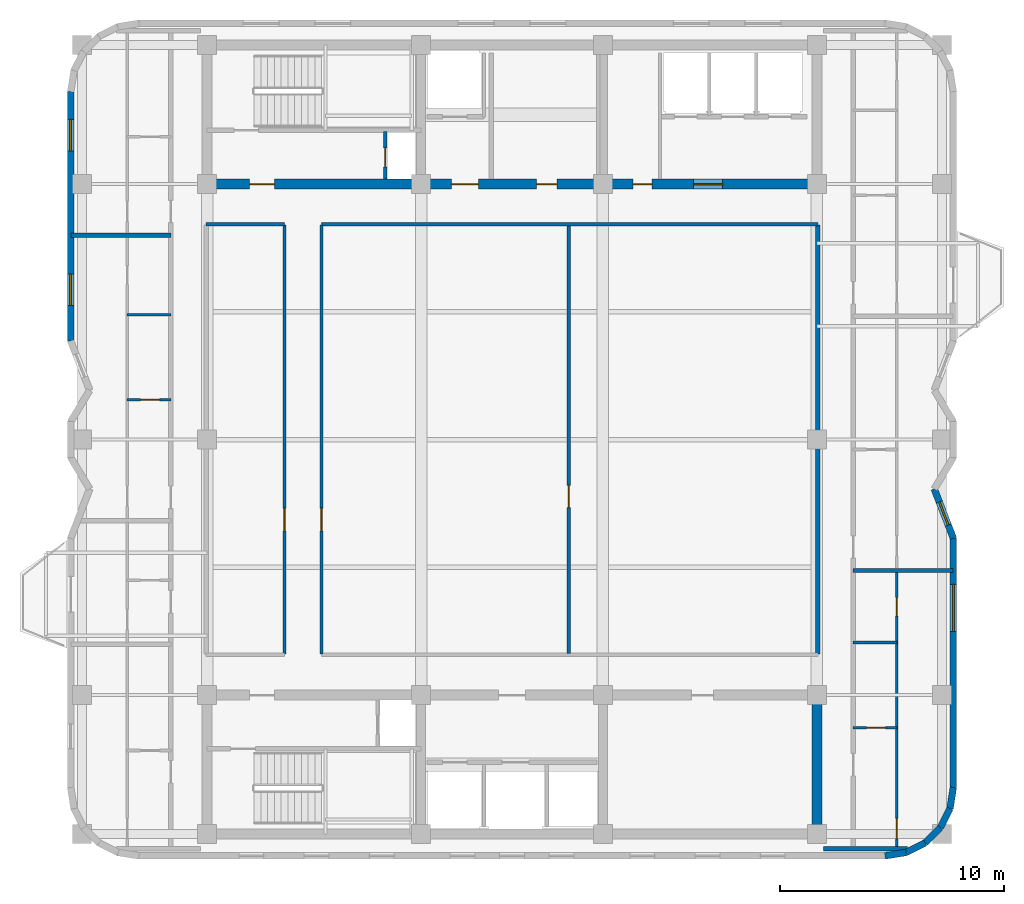
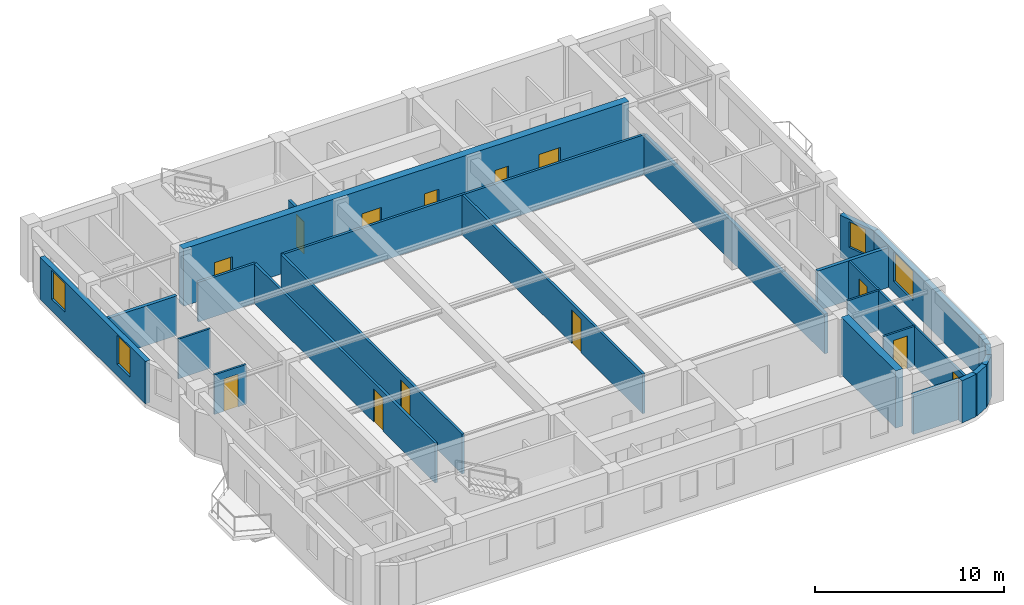
# One storey, part 4 of 8: 25 walls, 13 doors, 4 windows, 17 openings.
"""IFC4 building model written with IfcOpenShell, lengths in metres."""

from ifc_helpers import new_model, si_unit, direction, frame, frame_2d, origin, place, context, subcontext, project, spatial, rectangle, extrude, material, layer, layer_set, type_object, element, fill, save


model = new_model("IFC4")

# Units and contexts
model_context = context("Model", 3, precision=1e-05, world=origin(), true_north=direction((0.0, 1.0)))
body_context = subcontext(model_context, "Body", "Model", "MODEL_VIEW")
ifc_project = project(units=[si_unit("LENGTHUNIT", "METRE"), si_unit("AREAUNIT", "SQUARE_METRE"), si_unit("VOLUMEUNIT", "CUBIC_METRE"), si_unit("PLANEANGLEUNIT", "RADIAN"), si_unit("MASSUNIT", "GRAM", prefix="KILO")], contexts=[model_context])

# Site, building, storey
site_placement = place(None, origin())
site = spatial("IfcSite", under=ifc_project, at=site_placement, CompositionType="ELEMENT")
building_placement = place(site_placement, origin())
building = spatial("IfcBuilding", under=site, at=building_placement, Name="Svetorya Sky Lyceum", CompositionType="ELEMENT")
storey_placement = place(building_placement, frame((0.0, 0.0, 233.199951171875)))
storey = spatial("IfcBuildingStorey", under=building, at=storey_placement, Name="L58", CompositionType="ELEMENT", Elevation=233.199951171875)

# Wall
ifc_material_1 = material(Name="Concrete C50/60", Category="concrete")
ifc_layer_1 = layer(ifc_material_1, 0.449951171875)
ifc_layer_set_1 = layer_set([ifc_layer_1], Name="Concrete C50/60")
wall_type_1 = type_object("IfcWallType", Name="WL-CORE-450", PredefinedType="SHEAR", material=ifc_layer_set_1)
wall_1_placement = place(storey_placement, frame((52.800048828125, 10.824951171875, 0.0), z_axis=(0.0, 0.0, 1.0), x_axis=(0.0, 1.0, 0.0)))
element("IfcWall", 1, at=wall_1_placement, inside=storey, type_object=wall_type_1, Name="L58 SC East Core Shear Wall", PredefinedType="SHEAR", context=body_context, shape_type="SweptSolid", body=[
    extrude(rectangle(XDim=5.75, YDim=0.449951171875, at=frame_2d((2.875, 0.0))), origin(), (0.0, 0.0, 1.0), 3.699951171875),
])

# Wall, openings, doors
wall_2_placement = place(storey_placement, frame((52.800048828125, 39.60009765625, 0.0), z_axis=(0.0, 0.0, 1.0), x_axis=(-1.0, 0.0, 0.0)))
wall_2 = element("IfcWall", 2, at=wall_2_placement, inside=storey, type_object=wall_type_1, Name="L58 NC Inner Core Shear Wall", PredefinedType="SHEAR", context=body_context, shape_type="SweptSolid", body=[
    extrude(rectangle(XDim=27.199951171875, YDim=0.449951171875, at=frame_2d((13.60009765625, 0.0))), origin(), (0.0, 0.0, 1.0), 3.699951171875),
])
opening_1_placement = place(wall_2_placement, frame((24.199951171875, 0.0, 0.0)))
opening_1 = element("IfcOpeningElement", 3, at=opening_1_placement, cuts=wall_2, Name="Opening D-ST1", PredefinedType="OPENING", context=body_context, shape_type="SweptSolid", body=[
    extrude(rectangle(XDim=1.10009765625, YDim=2.14990234375, at=frame_2d((0.550048828125, 1.074951171875))), frame((0.0, 0.23486328125, 0.0), z_axis=(0.0, -1.0, 0.0), x_axis=(1.0, 0.0, 0.0)), (0.0, 0.0, 1.0), 0.469970703125),
])
opening_2_placement = place(wall_2_placement, frame((15.10009765625, 0.0, 0.0)))
opening_2 = element("IfcOpeningElement", 4, at=opening_2_placement, cuts=wall_2, Name="Opening D-FL1", PredefinedType="OPENING", context=body_context, shape_type="SweptSolid", body=[
    extrude(rectangle(XDim=1.199951171875, YDim=2.14990234375, at=frame_2d((0.60009765625, 1.074951171875))), frame((0.0, 0.23486328125, 0.0), z_axis=(0.0, -1.0, 0.0), x_axis=(1.0, 0.0, 0.0)), (0.0, 0.0, 1.0), 0.469970703125),
])
opening_3_placement = place(wall_2_placement, frame((11.60009765625, 0.0, 0.0)))
opening_3 = element("IfcOpeningElement", 5, at=opening_3_placement, cuts=wall_2, Name="Opening D-RM1", PredefinedType="OPENING", context=body_context, shape_type="SweptSolid", body=[
    extrude(rectangle(XDim=0.89990234375, YDim=2.10009765625, at=frame_2d((0.449951171875, 1.050048828125))), frame((0.0, 0.23486328125, 0.0), z_axis=(0.0, -1.0, 0.0), x_axis=(1.0, 0.0, 0.0)), (0.0, 0.0, 1.0), 0.469970703125),
])
opening_4_placement = place(wall_2_placement, frame((7.35009765625, 0.0, 0.0)))
opening_4 = element("IfcOpeningElement", 6, at=opening_4_placement, cuts=wall_2, Name="Opening D-CWC1", PredefinedType="OPENING", context=body_context, shape_type="SweptSolid", body=[
    extrude(rectangle(XDim=0.85009765625, YDim=2.10009765625, at=frame_2d((0.425048828125, 1.050048828125))), frame((0.0, 0.23486328125, 0.0), z_axis=(0.0, -1.0, 0.0), x_axis=(1.0, 0.0, 0.0)), (0.0, 0.0, 1.0), 0.469970703125),
])
opening_5_placement = place(wall_2_placement, frame((4.199951171875, 0.0, 0.0)))
opening_5 = element("IfcOpeningElement", 7, at=opening_5_placement, cuts=wall_2, Name="Opening D-LB1", PredefinedType="OPENING", context=body_context, shape_type="SweptSolid", body=[
    extrude(rectangle(XDim=1.300048828125, YDim=2.199951171875, at=frame_2d((0.64990234375, 1.10009765625))), frame((0.0, 0.23486328125, 0.0), z_axis=(0.0, -1.0, 0.0), x_axis=(1.0, 0.0, 0.0)), (0.0, 0.0, 1.0), 0.469970703125),
])
ifc_material_2 = material(Name="Fire-rated galvanized steel core service closet door", Category="steel")
door_type_1 = type_object("IfcDoorType", Name="DR-CWET-850", OperationType="SINGLE_SWING_LEFT", PredefinedType="DOOR", material=ifc_material_2)
door_1_placement = place(opening_4_placement, origin())
door_1 = element("IfcDoor", 8, at=door_1_placement, inside=storey, type_object=door_type_1, Name="L58 High-Zone Utility Room Door", OperationType="SINGLE_SWING_LEFT", OverallHeight=2.10009765625, OverallWidth=0.85009765625, PredefinedType="DOOR", context=body_context, shape_type="SweptSolid", body=[
    extrude(rectangle(XDim=0.85009765625, YDim=2.10009765625, at=frame_2d((0.425048828125, 1.050048828125))), frame((0.0, 0.02490234375, 0.0), z_axis=(0.0, -1.0, 0.0), x_axis=(1.0, 0.0, 0.0)), (0.0, 0.0, 1.0), 0.050048828125),
])
fill(opening_4, door_1)
ifc_material_3 = material(Name="Powder-coated insulated galvanized stair fire door")
door_type_2 = type_object("IfcDoorType", Name="DR-FIRE-1100", OperationType="SINGLE_SWING_LEFT", PredefinedType="DOOR", material=ifc_material_3)
door_2_placement = place(opening_1_placement, origin())
door_2 = element("IfcDoor", 9, at=door_2_placement, inside=storey, type_object=door_type_2, Name="L58 North Stair Airlock Door", OperationType="SINGLE_SWING_LEFT", OverallHeight=2.14990234375, OverallWidth=1.10009765625, PredefinedType="DOOR", context=body_context, shape_type="SweptSolid", body=[
    extrude(rectangle(XDim=1.10009765625, YDim=2.14990234375, at=frame_2d((0.550048828125, 1.074951171875))), frame((0.0, 0.02490234375, 0.0), z_axis=(0.0, -1.0, 0.0), x_axis=(1.0, 0.0, 0.0)), (0.0, 0.0, 1.0), 0.050048828125),
])
fill(opening_1, door_2)
ifc_material_4 = material(Name="Powder-coated insulated galvanized fire door")
door_type_3 = type_object("IfcDoorType", Name="DR-FIRE-1200", OperationType="SINGLE_SWING_LEFT", PredefinedType="DOOR", material=ifc_material_4)
door_3_placement = place(opening_2_placement, origin())
door_3 = element("IfcDoor", 10, at=door_3_placement, inside=storey, type_object=door_type_3, Name="L58 North Firefighting Lift Lobby Door", OperationType="SINGLE_SWING_RIGHT", OverallHeight=2.14990234375, OverallWidth=1.199951171875, PredefinedType="DOOR", context=body_context, shape_type="SweptSolid", body=[
    extrude(rectangle(XDim=1.199951171875, YDim=2.14990234375, at=frame_2d((0.60009765625, 1.074951171875))), frame((0.0, 0.02490234375, 0.0), z_axis=(0.0, -1.0, 0.0), x_axis=(1.0, 0.0, 0.0)), (0.0, 0.0, 1.0), 0.050048828125),
])
fill(opening_2, door_3)
ifc_material_5 = material(Name="Lacquered birch veneer internal door")
door_type_4 = type_object("IfcDoorType", Name="DR-INT-900", OperationType="SINGLE_SWING_LEFT", PredefinedType="DOOR", material=ifc_material_5)
door_4_placement = place(opening_3_placement, origin())
door_4 = element("IfcDoor", 11, at=door_4_placement, inside=storey, type_object=door_type_4, Name="L58 Upper Archive Door", OperationType="SINGLE_SWING_LEFT", OverallHeight=2.10009765625, OverallWidth=0.89990234375, PredefinedType="DOOR", context=body_context, shape_type="SweptSolid", body=[
    extrude(rectangle(XDim=0.89990234375, YDim=2.10009765625, at=frame_2d((0.449951171875, 1.050048828125))), frame((0.0, 0.02490234375, 0.0), z_axis=(0.0, -1.0, 0.0), x_axis=(1.0, 0.0, 0.0)), (0.0, 0.0, 1.0), 0.050048828125),
])
fill(opening_3, door_4)
ifc_material_6 = material(Name="Glazed fire-rated aluminium lobby door", Category="aluminium")
door_type_5 = type_object("IfcDoorType", Name="DR-LOB-1300", OperationType="SINGLE_SWING_LEFT", PredefinedType="DOOR", material=ifc_material_6)
door_5_placement = place(opening_5_placement, origin())
door_5 = element("IfcDoor", 12, at=door_5_placement, inside=storey, type_object=door_type_5, Name="L58 North Passenger Lift Lobby Door", OperationType="SINGLE_SWING_LEFT", OverallHeight=2.199951171875, OverallWidth=1.300048828125, PredefinedType="DOOR", context=body_context, shape_type="SweptSolid", body=[
    extrude(rectangle(XDim=1.300048828125, YDim=2.199951171875, at=frame_2d((0.64990234375, 1.10009765625))), frame((0.0, 0.02490234375, 0.0), z_axis=(0.0, -1.0, 0.0), x_axis=(1.0, 0.0, 0.0)), (0.0, 0.0, 1.0), 0.050048828125),
])
fill(opening_5, door_5)

# Walls
ifc_material_7 = material(Name="Putilovo limestone rainscreen on autoclaved cellular masonry", Category="masonry")
ifc_layer_2 = layer(ifc_material_7, 0.300048828125)
ifc_layer_set_2 = layer_set([ifc_layer_2], Name="Putilovo limestone rainscreen on autoclaved cellular masonry")
wall_type_2 = type_object("IfcWallType", Name="WL-EXT-300", PredefinedType="SOLIDWALL", material=ifc_layer_set_2)
wall_3_placement = place(storey_placement, frame((55.840087890625, 9.6298828125, 0.0), z_axis=(0.0, 0.0, 1.0), x_axis=(0.987663181641, 0.156593229835, 0.0)))
element("IfcWall", 13, at=wall_3_placement, inside=storey, type_object=wall_type_2, Name="L58 Limestone Exterior Wall 7M", PredefinedType="SOLIDWALL", context=body_context, shape_type="SweptSolid", body=[
    extrude(rectangle(XDim=0.9541015625, YDim=0.300048828125, at=frame_2d((0.47705078125, 0.0))), origin(), (0.0, 0.0, 1.0), 2.72998046875),
])
for number, where, z_axis, x_axis, name in (
    (14, (56.782470703125, 9.779296875, 0.0), (0.0, 0.0, 1.0), (0.891076589373, 0.453852962833, 0.0), "L58 Limestone Exterior Wall 8M"),
    (15, (57.6328125, 10.21240234375, 0.0), (0.0, 0.0, 1.0), (0.707106781187, 0.707106781187, 0.0), "L58 Limestone Exterior Wall 9M"),
    (16, (58.3076171875, 10.88720703125, 0.0), (0.0, 0.0, 1.0), (0.453852962833, 0.891076589373, 0.0), "L58 Limestone Exterior Wall 10M"),
):
    element("IfcWall", number, at=place(storey_placement, frame(where, z_axis=z_axis, x_axis=x_axis)), inside=storey, type_object=wall_type_2, Name=name, PredefinedType="SOLIDWALL", context=body_context, shape_type="SweptSolid", body=[
        extrude(rectangle(XDim=0.954345703125, YDim=0.300048828125, at=frame_2d((0.47705078125, 0.0))), origin(), (0.0, 0.0, 1.0), 2.72998046875),
    ])
wall_4_placement = place(storey_placement, frame((58.74072265625, 11.737548828125, 0.0), z_axis=(0.0, 0.0, 1.0), x_axis=(0.156343617883, 0.987702725088, 0.0)))
element("IfcWall", 17, at=wall_4_placement, inside=storey, type_object=wall_type_2, Name="L58 Limestone Exterior Wall 11M", PredefinedType="SOLIDWALL", context=body_context, shape_type="SweptSolid", body=[
    extrude(rectangle(XDim=0.9541015625, YDim=0.300048828125, at=frame_2d((0.47705078125, 0.0))), origin(), (0.0, 0.0, 1.0), 2.72998046875),
])

# Wall, opening, window
wall_5_placement = place(storey_placement, frame((58.889892578125, 12.679931640625, 0.0), z_axis=(0.0, 0.0, 1.0), x_axis=(0.0, 1.0, 0.0)))
wall_5 = element("IfcWall", 18, at=wall_5_placement, inside=storey, type_object=wall_type_2, Name="L58 Limestone Exterior Wall 12M", PredefinedType="SOLIDWALL", context=body_context, shape_type="SweptSolid", body=[
    extrude(rectangle(XDim=11.1201171875, YDim=0.300048828125, at=frame_2d((5.56005859375, 0.0))), origin(), (0.0, 0.0, 1.0), 2.72998046875),
])
opening_6_placement = place(wall_5_placement, frame((6.965087890625, 0.0, 0.7099609375)))
opening_6 = element("IfcOpeningElement", 19, at=opening_6_placement, cuts=wall_5, Name="Opening W-R0", PredefinedType="OPENING", context=body_context, shape_type="SweptSolid", body=[
    extrude(rectangle(XDim=2.10009765625, YDim=1.89990234375, at=frame_2d((1.050048828125, 0.949951171875))), frame((0.0, 0.159912109375, 0.0), z_axis=(0.0, -1.0, 0.0), x_axis=(1.0, 0.0, 0.0)), (0.0, 0.0, 1.0), 0.320068359375),
])
ifc_material_8 = material(Name="Thermally broken aluminium frame with triple low-E glazing", Category="aluminium")
window_type_1 = type_object("IfcWindowType", Name="WN-RES-210", PartitioningType="TRIPLE_PANEL_VERTICAL", PredefinedType="WINDOW", material=ifc_material_8)
window_1_placement = place(opening_6_placement, origin())
window_1 = element("IfcWindow", 20, at=window_1_placement, inside=storey, type_object=window_type_1, Name="L58 Facade Window W-R0.12M.1", OverallHeight=1.89990234375, OverallWidth=2.10009765625, PartitioningType="SINGLE_PANEL", PredefinedType="WINDOW", context=body_context, shape_type="SweptSolid", body=[
    extrude(rectangle(XDim=2.10009765625, YDim=1.89990234375, at=frame_2d((1.050048828125, 0.949951171875))), frame((0.0, 0.030029296875, 0.0), z_axis=(0.0, -1.0, 0.0), x_axis=(1.0, 0.0, 0.0)), (0.0, 0.0, 1.0), 0.06005859375),
])
fill(opening_6, window_1)

wall_6_placement = place(storey_placement, frame((58.889892578125, 23.800048828125, 0.0), z_axis=(0.0, 0.0, 1.0), x_axis=(-0.360352194711, 0.932816324775, 0.0)))
wall_6 = element("IfcWall", 21, at=wall_6_placement, inside=storey, type_object=wall_type_2, Name="L58 Limestone Exterior Wall 13M", PredefinedType="SOLIDWALL", context=body_context, shape_type="SweptSolid", body=[
    extrude(rectangle(XDim=2.3583984375, YDim=0.300048828125, at=frame_2d((1.17919921875, 0.0))), origin(), (0.0, 0.0, 1.0), 2.72998046875),
])
opening_7_placement = place(wall_6_placement, frame((0.629150390625, 0.0, 0.919921875)))
opening_7 = element("IfcOpeningElement", 22, at=opening_7_placement, cuts=wall_6, Name="Opening W-R3", PredefinedType="OPENING", context=body_context, shape_type="SweptSolid", body=[
    extrude(rectangle(XDim=1.10009765625, YDim=1.64990234375, at=frame_2d((0.550048828125, 0.824951171875))), frame((0.0, 0.159912109375, 0.0), z_axis=(0.0, -1.0, 0.0), x_axis=(1.0, 0.0, 0.0)), (0.0, 0.0, 1.0), 0.320068359375),
])
window_type_2 = type_object("IfcWindowType", Name="WN-RES-110", PartitioningType="SINGLE_PANEL", PredefinedType="WINDOW", material=ifc_material_8)
window_2_placement = place(opening_7_placement, origin())
window_2 = element("IfcWindow", 23, at=window_2_placement, inside=storey, type_object=window_type_2, Name="L58 Facade Window W-R3.13M.1", OverallHeight=1.64990234375, OverallWidth=1.10009765625, PartitioningType="SINGLE_PANEL", PredefinedType="WINDOW", context=body_context, shape_type="SweptSolid", body=[
    extrude(rectangle(XDim=1.10009765625, YDim=1.64990234375, at=frame_2d((0.550048828125, 0.824951171875))), frame((0.0, 0.030029296875, 0.0), z_axis=(0.0, -1.0, 0.0), x_axis=(1.0, 0.0, 0.0)), (0.0, 0.0, 1.0), 0.06005859375),
])
fill(opening_7, window_2)

# Wall, openings, windows
wall_7_placement = place(storey_placement, frame((19.510009765625, 43.719970703125, 0.0), z_axis=(0.0, 0.0, 1.0), x_axis=(0.0, -1.0, 0.0)))
wall_7 = element("IfcWall", 24, at=wall_7_placement, inside=storey, type_object=wall_type_2, Name="L58 Limestone Exterior Wall 30M", PredefinedType="SOLIDWALL", context=body_context, shape_type="SweptSolid", body=[
    extrude(rectangle(XDim=11.119873046875, YDim=0.300048828125, at=frame_2d((5.56005859375, 0.0))), origin(), (0.0, 0.0, 1.0), 2.72998046875),
])
opening_8_placement = place(wall_7_placement, frame((1.23681640625, 0.0, 0.760009765625)))
opening_8 = element("IfcOpeningElement", 25, at=opening_8_placement, cuts=wall_7, Name="Opening W-R2", PredefinedType="OPENING", context=body_context, shape_type="SweptSolid", body=[
    extrude(rectangle(XDim=1.39990234375, YDim=1.85009765625, at=frame_2d((0.699951171875, 0.925048828125))), frame((0.0, 0.159912109375, 0.0), z_axis=(0.0, -1.0, 0.0), x_axis=(1.0, 0.0, 0.0)), (0.0, 0.0, 1.0), 0.320068359375),
])
opening_9_placement = place(wall_7_placement, frame((8.13330078125, 0.0, 0.760009765625)))
opening_9 = element("IfcOpeningElement", 26, at=opening_9_placement, cuts=wall_7, Name="Opening W-R2", PredefinedType="OPENING", context=body_context, shape_type="SweptSolid", body=[
    extrude(rectangle(XDim=1.39990234375, YDim=1.85009765625, at=frame_2d((0.699951171875, 0.925048828125))), frame((0.0, 0.159912109375, 0.0), z_axis=(0.0, -1.0, 0.0), x_axis=(1.0, 0.0, 0.0)), (0.0, 0.0, 1.0), 0.320068359375),
])
window_type_3 = type_object("IfcWindowType", Name="WN-RES-140", PartitioningType="SINGLE_PANEL", PredefinedType="WINDOW", material=ifc_material_8)
window_3_placement = place(opening_8_placement, origin())
window_3 = element("IfcWindow", 27, at=window_3_placement, inside=storey, type_object=window_type_3, Name="L58 Facade Window W-R2.30M.1", OverallHeight=1.85009765625, OverallWidth=1.39990234375, PartitioningType="SINGLE_PANEL", PredefinedType="WINDOW", context=body_context, shape_type="SweptSolid", body=[
    extrude(rectangle(XDim=1.39990234375, YDim=1.85009765625, at=frame_2d((0.699951171875, 0.925048828125))), frame((0.0, 0.030029296875, 0.0), z_axis=(0.0, -1.0, 0.0), x_axis=(1.0, 0.0, 0.0)), (0.0, 0.0, 1.0), 0.06005859375),
])
fill(opening_8, window_3)
window_4_placement = place(opening_9_placement, origin())
window_4 = element("IfcWindow", 28, at=window_4_placement, inside=storey, type_object=window_type_3, Name="L58 Facade Window W-R2.30M.2", OverallHeight=1.85009765625, OverallWidth=1.39990234375, PartitioningType="SINGLE_PANEL", PredefinedType="WINDOW", context=body_context, shape_type="SweptSolid", body=[
    extrude(rectangle(XDim=1.39990234375, YDim=1.85009765625, at=frame_2d((0.699951171875, 0.925048828125))), frame((0.0, 0.030029296875, 0.0), z_axis=(0.0, -1.0, 0.0), x_axis=(1.0, 0.0, 0.0)), (0.0, 0.0, 1.0), 0.06005859375),
])
fill(opening_9, window_4)

# Wall, opening, door
ifc_material_9 = material(Name="Twin-stud galvanized framing with double fireboard", Category="gypsum")
ifc_layer_3 = layer(ifc_material_9, 0.1201171875)
ifc_layer_set_3 = layer_set([ifc_layer_3], Name="Twin-stud galvanized framing with double fireboard")
wall_type_3 = type_object("IfcWallType", Name="WL-PART-120", PredefinedType="PARTITIONING", material=ifc_layer_set_3)
wall_8_placement = place(storey_placement, frame((22.030029296875, 29.97509765625, 0.0), z_axis=(0.0, 0.0, 1.0), x_axis=(1.0, 0.0, 0.0)))
wall_8 = element("IfcWall", 29, at=wall_8_placement, inside=storey, type_object=wall_type_3, Name="L58 Interior Partition W3-WH1", PredefinedType="PARTITIONING", context=body_context, shape_type="SweptSolid", body=[
    extrude(rectangle(XDim=1.949951171875, YDim=0.1201171875, at=frame_2d((0.97509765625, 0.0))), origin(), (0.0, 0.0, 1.0), 2.56005859375),
])
opening_10_placement = place(wall_8_placement, frame((0.60009765625, 0.0, 0.0)))
opening_10 = element("IfcOpeningElement", 30, at=opening_10_placement, cuts=wall_8, Name="Opening D-BT1", PredefinedType="OPENING", context=body_context, shape_type="SweptSolid", body=[
    extrude(rectangle(XDim=0.85009765625, YDim=2.10009765625, at=frame_2d((0.425048828125, 1.050048828125))), frame((0.0, 0.070068359375, 0.0), z_axis=(0.0, -1.0, 0.0), x_axis=(1.0, 0.0, 0.0)), (0.0, 0.0, 1.0), 0.14013671875),
])
ifc_material_10 = material(Name="Moisture-resistant laminate bathroom door")
door_type_6 = type_object("IfcDoorType", Name="DR-WET-850", OperationType="SINGLE_SWING_LEFT", PredefinedType="DOOR", material=ifc_material_10)
door_6_placement = place(opening_10_placement, origin())
door_6 = element("IfcDoor", 31, at=door_6_placement, inside=storey, type_object=door_type_6, Name="Apartment W3 Bathroom Door", OperationType="SINGLE_SWING_LEFT", OverallHeight=2.10009765625, OverallWidth=0.85009765625, PredefinedType="DOOR", context=body_context, shape_type="SweptSolid", body=[
    extrude(rectangle(XDim=0.85009765625, YDim=2.10009765625, at=frame_2d((0.425048828125, 1.050048828125))), frame((0.0, 0.02490234375, 0.0), z_axis=(0.0, -1.0, 0.0), x_axis=(1.0, 0.0, 0.0)), (0.0, 0.0, 1.0), 0.050048828125),
])
fill(opening_10, door_6)

# Wall
wall_9_placement = place(storey_placement, frame((22.030029296875, 33.77490234375, 0.0), z_axis=(0.0, 0.0, 1.0), x_axis=(1.0, 0.0, 0.0)))
element("IfcWall", 32, at=wall_9_placement, inside=storey, type_object=wall_type_3, Name="L58 Interior Partition W3-WH2", PredefinedType="PARTITIONING", context=body_context, shape_type="SweptSolid", body=[
    extrude(rectangle(XDim=1.949951171875, YDim=0.1201171875, at=frame_2d((0.97509765625, 0.0))), origin(), (0.0, 0.0, 1.0), 2.56005859375),
])

# Wall, opening, door
wall_10_placement = place(storey_placement, frame((54.419921875, 15.35009765625, 0.0), z_axis=(0.0, 0.0, 1.0), x_axis=(1.0, 0.0, 0.0)))
wall_10 = element("IfcWall", 33, at=wall_10_placement, inside=storey, type_object=wall_type_3, Name="L58 Interior Partition E1-WH1", PredefinedType="PARTITIONING", context=body_context, shape_type="SweptSolid", body=[
    extrude(rectangle(XDim=1.9501953125, YDim=0.1201171875, at=frame_2d((0.97509765625, 0.0))), origin(), (0.0, 0.0, 1.0), 2.56005859375),
])
opening_11_placement = place(wall_10_placement, frame((0.60009765625, 0.0, 0.0)))
opening_11 = element("IfcOpeningElement", 34, at=opening_11_placement, cuts=wall_10, Name="Opening D-BT1", PredefinedType="OPENING", context=body_context, shape_type="SweptSolid", body=[
    extrude(rectangle(XDim=0.85009765625, YDim=2.10009765625, at=frame_2d((0.425048828125, 1.050048828125))), frame((0.0, 0.070068359375, 0.0), z_axis=(0.0, -1.0, 0.0), x_axis=(1.0, 0.0, 0.0)), (0.0, 0.0, 1.0), 0.14013671875),
])
door_7_placement = place(opening_11_placement, origin())
door_7 = element("IfcDoor", 35, at=door_7_placement, inside=storey, type_object=door_type_6, Name="Apartment E1 Bathroom Door", OperationType="SINGLE_SWING_RIGHT", OverallHeight=2.10009765625, OverallWidth=0.85009765625, PredefinedType="DOOR", context=body_context, shape_type="SweptSolid", body=[
    extrude(rectangle(XDim=0.85009765625, YDim=2.10009765625, at=frame_2d((0.425048828125, 1.050048828125))), frame((0.0, 0.02490234375, 0.0), z_axis=(0.0, -1.0, 0.0), x_axis=(1.0, 0.0, 0.0)), (0.0, 0.0, 1.0), 0.050048828125),
])
fill(opening_11, door_7)

# Wall
wall_11_placement = place(storey_placement, frame((54.419921875, 19.14990234375, 0.0), z_axis=(0.0, 0.0, 1.0), x_axis=(1.0, 0.0, 0.0)))
element("IfcWall", 36, at=wall_11_placement, inside=storey, type_object=wall_type_3, Name="L58 Interior Partition E1-WH2", PredefinedType="PARTITIONING", context=body_context, shape_type="SweptSolid", body=[
    extrude(rectangle(XDim=1.9501953125, YDim=0.1201171875, at=frame_2d((0.97509765625, 0.0))), origin(), (0.0, 0.0, 1.0), 2.56005859375),
])

# Wall, openings, doors
wall_12_placement = place(storey_placement, frame((56.3701171875, 9.989990234375, 0.0), z_axis=(0.0, 0.0, 1.0), x_axis=(0.0, 1.0, 0.0)))
wall_12 = element("IfcWall", 37, at=wall_12_placement, inside=storey, type_object=wall_type_3, Name="L58 Interior Partition E1-WV", PredefinedType="PARTITIONING", context=body_context, shape_type="SweptSolid", body=[
    extrude(rectangle(XDim=12.330078125, YDim=0.1201171875, at=frame_2d((6.1650390625, 0.0))), origin(), (0.0, 0.0, 1.0), 2.56005859375),
])
opening_12_placement = place(wall_12_placement, frame((0.409912109375, 0.0, 0.0)))
opening_12 = element("IfcOpeningElement", 38, at=opening_12_placement, cuts=wall_12, Name="Opening D-RM1", PredefinedType="OPENING", context=body_context, shape_type="SweptSolid", body=[
    extrude(rectangle(XDim=0.89990234375, YDim=2.10009765625, at=frame_2d((0.449951171875, 1.050048828125))), frame((0.0, 0.070068359375, 0.0), z_axis=(0.0, -1.0, 0.0), x_axis=(1.0, 0.0, 0.0)), (0.0, 0.0, 1.0), 0.14013671875),
])
opening_13_placement = place(wall_12_placement, frame((10.340087890625, 0.0, 0.0)))
opening_13 = element("IfcOpeningElement", 39, at=opening_13_placement, cuts=wall_12, Name="Opening D-BT2", PredefinedType="OPENING", context=body_context, shape_type="SweptSolid", body=[
    extrude(rectangle(XDim=0.820068359375, YDim=2.080078125, at=frame_2d((0.41015625, 1.0400390625))), frame((0.0, 0.070068359375, 0.0), z_axis=(0.0, -1.0, 0.0), x_axis=(1.0, 0.0, 0.0)), (0.0, 0.0, 1.0), 0.14013671875),
])
door_8_placement = place(opening_12_placement, origin())
door_8 = element("IfcDoor", 40, at=door_8_placement, inside=storey, type_object=door_type_4, Name="Apartment E1 Living Door", OperationType="SINGLE_SWING_LEFT", OverallHeight=2.10009765625, OverallWidth=0.89990234375, PredefinedType="DOOR", context=body_context, shape_type="SweptSolid", body=[
    extrude(rectangle(XDim=0.89990234375, YDim=2.10009765625, at=frame_2d((0.449951171875, 1.050048828125))), frame((0.0, 0.02490234375, 0.0), z_axis=(0.0, -1.0, 0.0), x_axis=(1.0, 0.0, 0.0)), (0.0, 0.0, 1.0), 0.050048828125),
])
fill(opening_12, door_8)
ifc_material_11 = material(Name="Compact moisture-resistant laminate closet door")
door_type_7 = type_object("IfcDoorType", Name="DR-WET-820", OperationType="SINGLE_SWING_LEFT", PredefinedType="DOOR", material=ifc_material_11)
door_9_placement = place(opening_13_placement, origin())
door_9 = element("IfcDoor", 41, at=door_9_placement, inside=storey, type_object=door_type_7, Name="Apartment E1 Study Door", OperationType="SINGLE_SWING_RIGHT", OverallHeight=2.080078125, OverallWidth=0.820068359375, PredefinedType="DOOR", context=body_context, shape_type="SweptSolid", body=[
    extrude(rectangle(XDim=0.820068359375, YDim=2.080078125, at=frame_2d((0.41015625, 1.0400390625))), frame((0.0, 0.02490234375, 0.0), z_axis=(0.0, -1.0, 0.0), x_axis=(1.0, 0.0, 0.0)), (0.0, 0.0, 1.0), 0.050048828125),
])
fill(opening_13, door_9)

# Wall, opening, door
ifc_material_12 = material(Name="Autoclaved cellular masonry blockwork with acoustic render", Category="masonry")
ifc_layer_4 = layer(ifc_material_12, 0.14990234375)
ifc_layer_set_4 = layer_set([ifc_layer_4], Name="Autoclaved cellular masonry blockwork with acoustic render")
wall_type_4 = type_object("IfcWallType", Name="WL-PART-150", PredefinedType="PARTITIONING", material=ifc_layer_set_4)
wall_13_placement = place(storey_placement, frame((33.550048828125, 39.820068359375, 0.0), z_axis=(0.0, 0.0, 1.0), x_axis=(0.0, 1.0, 0.0)))
wall_13 = element("IfcWall", 42, at=wall_13_placement, inside=storey, type_object=wall_type_4, Name="L58 Interior Partition NC-RSRW", PredefinedType="PARTITIONING", context=body_context, shape_type="SweptSolid", body=[
    extrude(rectangle(XDim=2.1298828125, YDim=0.14990234375, at=frame_2d((1.06494140625, 0.0))), origin(), (0.0, 0.0, 1.0), 2.56005859375),
])
opening_14_placement = place(wall_13_placement, frame((0.550048828125, 0.0, 0.0)))
opening_14 = element("IfcOpeningElement", 43, at=opening_14_placement, cuts=wall_13, Name="Opening D-SH1", PredefinedType="OPENING", context=body_context, shape_type="SweptSolid", body=[
    extrude(rectangle(XDim=0.85009765625, YDim=2.050048828125, at=frame_2d((0.425048828125, 1.02490234375))), frame((0.0, 0.0849609375, 0.0), z_axis=(0.0, -1.0, 0.0), x_axis=(1.0, 0.0, 0.0)), (0.0, 0.0, 1.0), 0.169921875),
])
ifc_material_13 = material(Name="Insulated galvanized riser inspection fire door")
door_type_8 = type_object("IfcDoorType", Name="DR-SHFT-850", OperationType="SINGLE_SWING_LEFT", PredefinedType="TRAPDOOR", material=ifc_material_13)
door_10_placement = place(opening_14_placement, origin())
door_10 = element("IfcDoor", 44, at=door_10_placement, inside=storey, type_object=door_type_8, Name="L58 North Riser Access Door", OperationType="SINGLE_SWING_LEFT", OverallHeight=2.050048828125, OverallWidth=0.85009765625, PredefinedType="TRAPDOOR", context=body_context, shape_type="SweptSolid", body=[
    extrude(rectangle(XDim=0.85009765625, YDim=2.050048828125, at=frame_2d((0.425048828125, 1.02490234375))), frame((0.0, 0.02490234375, 0.0), z_axis=(0.0, -1.0, 0.0), x_axis=(1.0, 0.0, 0.0)), (0.0, 0.0, 1.0), 0.050048828125),
])
fill(opening_14, door_10)

# Walls
wall_14_placement = place(storey_placement, frame((25.550048828125, 37.800048828125, 0.0), z_axis=(0.0, 0.0, 1.0), x_axis=(1.0, 0.0, 0.0)))
element("IfcWall", 45, at=wall_14_placement, inside=storey, type_object=wall_type_4, Name="L58 Interior Partition OFF-CN-W", PredefinedType="PARTITIONING", context=body_context, shape_type="SweptSolid", body=[
    extrude(rectangle(XDim=3.5, YDim=0.14990234375, at=frame_2d((1.75, 0.0))), origin(), (0.0, 0.0, 1.0), 2.56005859375),
])
wall_15_placement = place(storey_placement, frame((30.699951171875, 37.800048828125, 0.0), z_axis=(0.0, 0.0, 1.0), x_axis=(1.0, 0.0, 0.0)))
element("IfcWall", 46, at=wall_15_placement, inside=storey, type_object=wall_type_4, Name="L58 Interior Partition OFF-CN-E", PredefinedType="PARTITIONING", context=body_context, shape_type="SweptSolid", body=[
    extrude(rectangle(XDim=22.150146484375, YDim=0.14990234375, at=frame_2d((11.0751953125, 0.0))), origin(), (0.0, 0.0, 1.0), 2.56005859375),
])

# Wall, opening, door
wall_16_placement = place(storey_placement, frame((41.735107421875, 18.659912109375, 0.0), z_axis=(0.0, 0.0, 1.0), x_axis=(0.0, 1.0, 0.0)))
wall_16 = element("IfcWall", 47, at=wall_16_placement, inside=storey, type_object=wall_type_4, Name="L58 Interior Partition OFF-VEMID", PredefinedType="PARTITIONING", context=body_context, shape_type="SweptSolid", body=[
    extrude(rectangle(XDim=19.080078125, YDim=0.14990234375, at=frame_2d((9.5400390625, 0.0))), origin(), (0.0, 0.0, 1.0), 2.56005859375),
])
opening_15_placement = place(wall_16_placement, frame((6.5, 0.0, 0.0)))
opening_15 = element("IfcOpeningElement", 48, at=opening_15_placement, cuts=wall_16, Name="Opening D-RM2", PredefinedType="OPENING", context=body_context, shape_type="SweptSolid", body=[
    extrude(rectangle(XDim=1.0, YDim=2.14990234375, at=frame_2d((0.5, 1.074951171875))), frame((0.0, 0.0849609375, 0.0), z_axis=(0.0, -1.0, 0.0), x_axis=(1.0, 0.0, 0.0)), (0.0, 0.0, 1.0), 0.169921875),
])
ifc_material_14 = material(Name="Solid-core oak acoustic room door")
door_type_9 = type_object("IfcDoorType", Name="DR-INT-1000", OperationType="SINGLE_SWING_LEFT", PredefinedType="DOOR", material=ifc_material_14)
door_11_placement = place(opening_15_placement, origin())
door_11 = element("IfcDoor", 49, at=door_11_placement, inside=storey, type_object=door_type_9, Name="L58 Recreation Door", OperationType="SINGLE_SWING_LEFT", OverallHeight=2.14990234375, OverallWidth=1.0, PredefinedType="DOOR", context=body_context, shape_type="SweptSolid", body=[
    extrude(rectangle(XDim=1.0, YDim=2.14990234375, at=frame_2d((0.5, 1.074951171875))), frame((0.0, 0.02490234375, 0.0), z_axis=(0.0, -1.0, 0.0), x_axis=(1.0, 0.0, 0.0)), (0.0, 0.0, 1.0), 0.050048828125),
])
fill(opening_15, door_11)

wall_17_placement = place(storey_placement, frame((29.050048828125, 18.6298828125, 0.0), z_axis=(0.0, 0.0, 1.0), x_axis=(0.0, 1.0, 0.0)))
wall_17 = element("IfcWall", 50, at=wall_17_placement, inside=storey, type_object=wall_type_4, Name="L58 Interior Partition OFF-VW", PredefinedType="PARTITIONING", context=body_context, shape_type="SweptSolid", body=[
    extrude(rectangle(XDim=19.14013671875, YDim=0.14990234375, at=frame_2d((9.570068359375, 0.0))), origin(), (0.0, 0.0, 1.0), 2.56005859375),
])
opening_16_placement = place(wall_17_placement, frame((5.5, 0.0, 0.0)))
opening_16 = element("IfcOpeningElement", 51, at=opening_16_placement, cuts=wall_17, Name="Opening D-RM2", PredefinedType="OPENING", context=body_context, shape_type="SweptSolid", body=[
    extrude(rectangle(XDim=1.0, YDim=2.14990234375, at=frame_2d((0.5, 1.074951171875))), frame((0.0, 0.0849609375, 0.0), z_axis=(0.0, -1.0, 0.0), x_axis=(1.0, 0.0, 0.0)), (0.0, 0.0, 1.0), 0.169921875),
])
door_12_placement = place(opening_16_placement, origin())
door_12 = element("IfcDoor", 52, at=door_12_placement, inside=storey, type_object=door_type_9, Name="L58 West Office Door", OperationType="SINGLE_SWING_LEFT", OverallHeight=2.14990234375, OverallWidth=1.0, PredefinedType="DOOR", context=body_context, shape_type="SweptSolid", body=[
    extrude(rectangle(XDim=1.0, YDim=2.14990234375, at=frame_2d((0.5, 1.074951171875))), frame((0.0, 0.02490234375, 0.0), z_axis=(0.0, -1.0, 0.0), x_axis=(1.0, 0.0, 0.0)), (0.0, 0.0, 1.0), 0.050048828125),
])
fill(opening_16, door_12)

wall_18_placement = place(storey_placement, frame((30.699951171875, 18.6298828125, 0.0), z_axis=(0.0, 0.0, 1.0), x_axis=(0.0, 1.0, 0.0)))
wall_18 = element("IfcWall", 53, at=wall_18_placement, inside=storey, type_object=wall_type_4, Name="L58 Interior Partition OFF-VE", PredefinedType="PARTITIONING", context=body_context, shape_type="SweptSolid", body=[
    extrude(rectangle(XDim=19.14013671875, YDim=0.14990234375, at=frame_2d((9.570068359375, 0.0))), origin(), (0.0, 0.0, 1.0), 2.56005859375),
])
opening_17_placement = place(wall_18_placement, frame((5.5, 0.0, 0.0)))
opening_17 = element("IfcOpeningElement", 54, at=opening_17_placement, cuts=wall_18, Name="Opening D-RM2", PredefinedType="OPENING", context=body_context, shape_type="SweptSolid", body=[
    extrude(rectangle(XDim=1.0, YDim=2.14990234375, at=frame_2d((0.5, 1.074951171875))), frame((0.0, 0.0849609375, 0.0), z_axis=(0.0, -1.0, 0.0), x_axis=(1.0, 0.0, 0.0)), (0.0, 0.0, 1.0), 0.169921875),
])
door_13_placement = place(opening_17_placement, origin())
door_13 = element("IfcDoor", 55, at=door_13_placement, inside=storey, type_object=door_type_9, Name="L58 Seminar Door", OperationType="SINGLE_SWING_RIGHT", OverallHeight=2.14990234375, OverallWidth=1.0, PredefinedType="DOOR", context=body_context, shape_type="SweptSolid", body=[
    extrude(rectangle(XDim=1.0, YDim=2.14990234375, at=frame_2d((0.5, 1.074951171875))), frame((0.0, 0.02490234375, 0.0), z_axis=(0.0, -1.0, 0.0), x_axis=(1.0, 0.0, 0.0)), (0.0, 0.0, 1.0), 0.050048828125),
])
fill(opening_17, door_13)

# Walls
ifc_material_15 = material(Name="Autoclaved cellular masonry blockwork with gypsum plaster", Category="masonry")
ifc_layer_5 = layer(ifc_material_15, 0.199951171875)
ifc_layer_set_5 = layer_set([ifc_layer_5], Name="Autoclaved cellular masonry blockwork with gypsum plaster")
wall_type_5 = type_object("IfcWallType", Name="WL-PART-200", PredefinedType="PARTITIONING", material=ifc_layer_set_5)
wall_19_placement = place(storey_placement, frame((52.85009765625, 18.6298828125, 0.0), z_axis=(0.0, 0.0, 1.0), x_axis=(0.0, 1.0, 0.0)))
element("IfcWall", 56, at=wall_19_placement, inside=storey, type_object=wall_type_5, Name="L58 Interior Partition E-CEN-SEP", PredefinedType="PARTITIONING", context=body_context, shape_type="SweptSolid", body=[
    extrude(rectangle(XDim=19.14013671875, YDim=0.199951171875, at=frame_2d((9.570068359375, 0.0))), origin(), (0.0, 0.0, 1.0), 2.56005859375),
])
wall_20_placement = place(storey_placement, frame((19.530029296875, 37.324951171875, 0.0), z_axis=(0.0, 0.0, 1.0), x_axis=(1.0, 0.0, 0.0)))
element("IfcWall", 57, at=wall_20_placement, inside=storey, type_object=wall_type_5, Name="L58 Interior Partition W-PARTY-3", PredefinedType="PARTITIONING", context=body_context, shape_type="SweptSolid", body=[
    extrude(rectangle(XDim=4.449951171875, YDim=0.199951171875, at=frame_2d((2.22509765625, 0.0))), origin(), (0.0, 0.0, 1.0), 2.56005859375),
])
wall_21_placement = place(storey_placement, frame((54.419921875, 22.360107421875, 0.0), z_axis=(0.0, 0.0, 1.0), x_axis=(1.0, 0.0, 0.0)))
element("IfcWall", 58, at=wall_21_placement, inside=storey, type_object=wall_type_5, Name="L58 Interior Partition E-PARTY-1", PredefinedType="PARTITIONING", context=body_context, shape_type="SweptSolid", body=[
    extrude(rectangle(XDim=4.4501953125, YDim=0.199951171875, at=frame_2d((2.22509765625, 0.0))), origin(), (0.0, 0.0, 1.0), 2.56005859375),
])
wall_22_placement = place(storey_placement, frame((53.10009765625, 9.949951171875, 0.0), z_axis=(0.0, 0.0, 1.0), x_axis=(1.0, 0.0, 0.0)))
element("IfcWall", 59, at=wall_22_placement, inside=storey, type_object=wall_type_5, Name="L58 Interior Partition E-CAP-S", PredefinedType="PARTITIONING", context=body_context, shape_type="SweptSolid", body=[
    extrude(rectangle(XDim=3.75390625, YDim=0.199951171875, at=frame_2d((1.876953125, 0.0))), origin(), (0.0, 0.0, 1.0), 2.56005859375),
])

save(model, "model.ifc")
